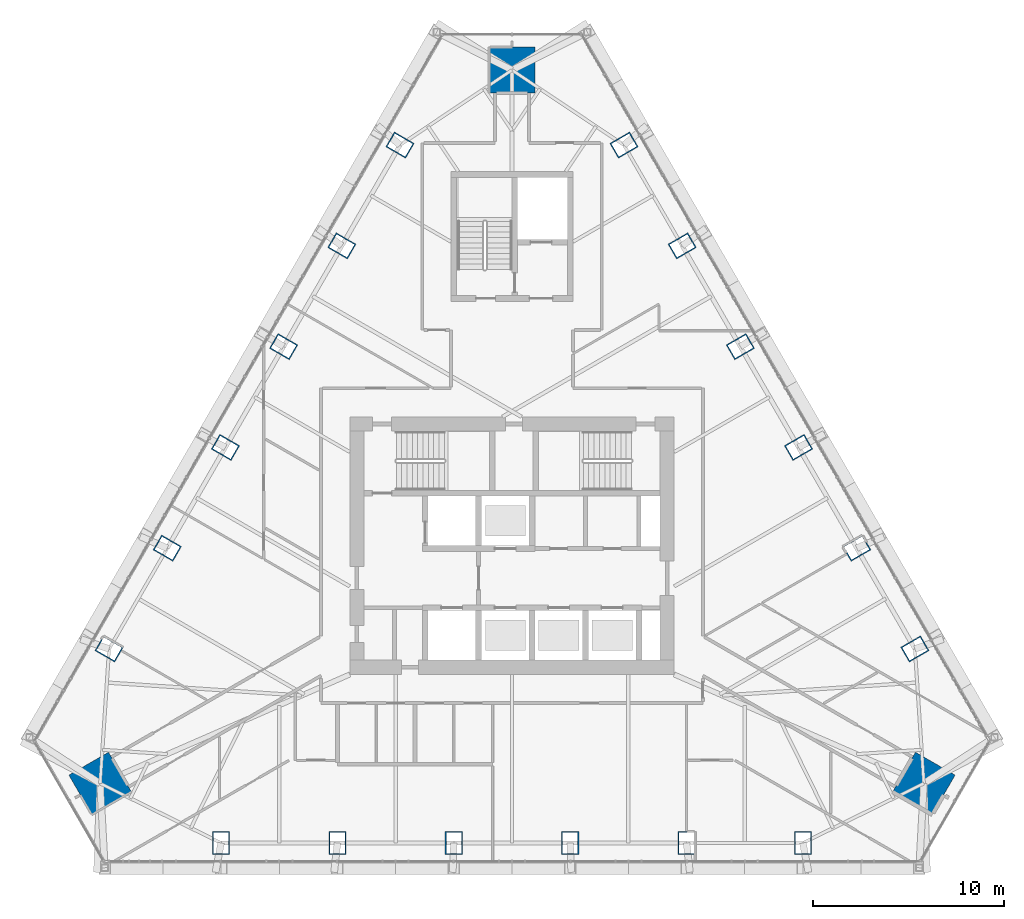
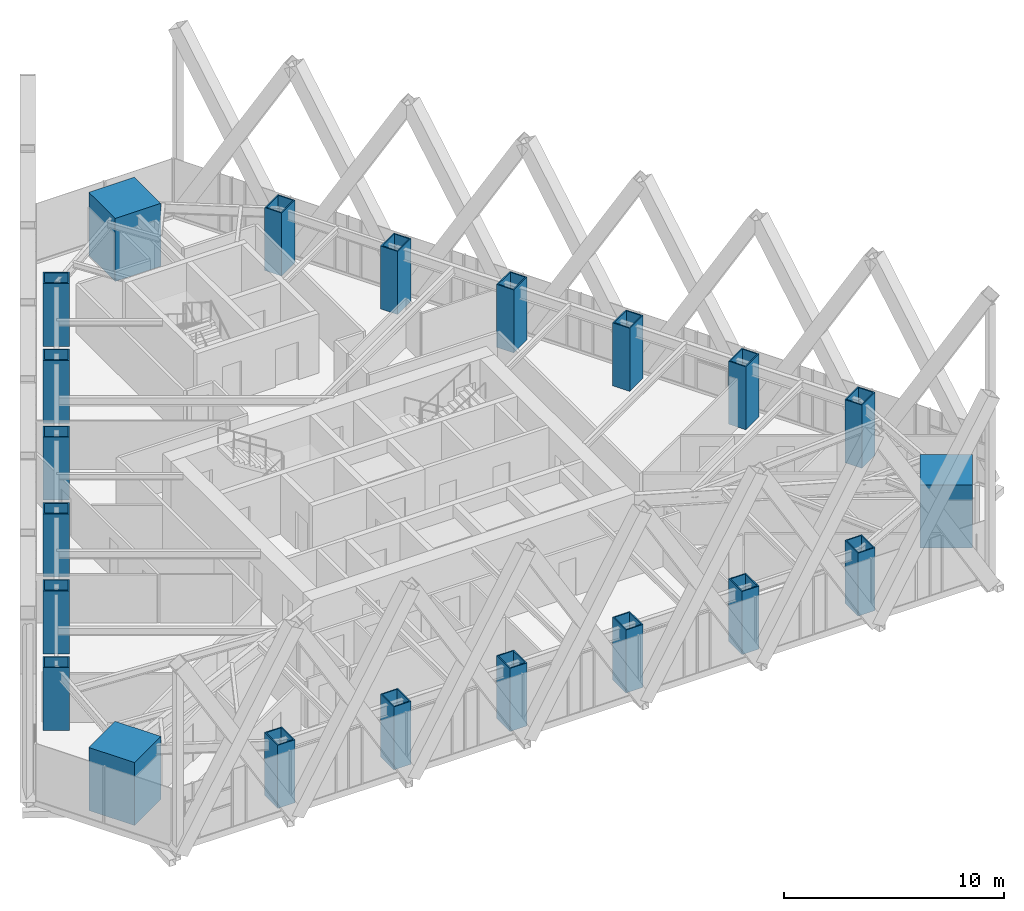
# One storey, part 1 of 23: 21 columns.
"""IFC4 building model written with IfcOpenShell, lengths in metres."""

from ifc_helpers import new_model, si_unit, direction, frame, origin, origin_2d, place, context, subcontext, project, spatial, rectangle, hollow_rectangle, extrude, material, material_profile, profile_set, type_object, element, save


model = new_model("IFC4")

# Units and contexts
model_context = context("Model", 3, precision=1e-05, world=origin(), true_north=direction((0.0, 1.0)))
body_context = subcontext(model_context, "Body", "Model", "MODEL_VIEW")
ifc_project = project(units=[si_unit("LENGTHUNIT", "METRE"), si_unit("AREAUNIT", "SQUARE_METRE"), si_unit("VOLUMEUNIT", "CUBIC_METRE"), si_unit("PLANEANGLEUNIT", "RADIAN"), si_unit("MASSUNIT", "GRAM", prefix="KILO")], contexts=[model_context])

# Site, building, storey
site_placement = place(None, origin())
site = spatial("IfcSite", under=ifc_project, at=site_placement, CompositionType="ELEMENT")
building_placement = place(site_placement, origin())
building = spatial("IfcBuilding", under=site, at=building_placement, Name="Firuza Gate Tower and Library", CompositionType="ELEMENT")
storey_placement = place(building_placement, frame((0.0, 0.0, 302.10009765625)))
storey = spatial("IfcBuildingStorey", under=building, at=storey_placement, Name="L73", CompositionType="ELEMENT", Elevation=302.10009765625)

# Columns
ifc_material_1 = material(Name="Steel S355", Category="steel")
ifc_material_profile_1 = material_profile(ifc_material_1, hollow_rectangle(XDim=0.89990234375, YDim=1.199951171875, WallThickness=0.06005859375, at=origin_2d()))
ifc_profile_set_1 = profile_set([ifc_material_profile_1], Name="Steel S355")
column_type_1 = type_object("IfcColumnType", Name="BU1200x900x60 Composite box column", PredefinedType="COLUMN", material=ifc_profile_set_1)
for number, where, z_axis, x_axis, name in (
    (1, (59.760009765625, 59.4248046875, -0.00048828125), (0.0, 0.0, 1.0), (1.0, 0.0, 0.0), "Column S1 L73"),
    (2, (65.85595703125, 59.4248046875, -0.00048828125), (0.0, 0.0, 1.0), (1.0, 0.0, 0.0), "Column S2 L73"),
    (3, (71.951904296875, 59.4248046875, -0.00048828125), (0.0, 0.0, 1.0), (1.0, 0.0, 0.0), "Column S3 L73"),
    (4, (78.048095703125, 59.4248046875, -0.00048828125), (0.0, 0.0, 1.0), (1.0, 0.0, 0.0), "Column S4 L73"),
    (5, (84.14404296875, 59.4248046875, -0.00048828125), (0.0, 0.0, 1.0), (1.0, 0.0, 0.0), "Column S5 L73"),
    (6, (90.239990234375, 59.4248046875, -0.00048828125), (0.0, 0.0, 1.0), (1.0, 0.0, 0.0), "Column S6 L73"),
    (7, (96.108642578125, 69.58935546875, -0.00048828125), (0.0, 0.0, 1.0), (-0.5, 0.866025403784, 0.0), "Column E1 L73"),
    (8, (93.060546875, 74.86865234375, -0.00048828125), (0.0, 0.0, 1.0), (-0.5, 0.866025403784, 0.0), "Column E2 L73"),
    (9, (90.0126953125, 80.14794921875, -0.00048828125), (0.0, 0.0, 1.0), (-0.5, 0.866025403784, 0.0), "Column E3 L73"),
    (10, (86.964599609375, 85.42724609375, -0.00048828125), (0.0, 0.0, 1.0), (-0.5, 0.866025403784, 0.0), "Column E4 L73"),
    (11, (83.91650390625, 90.70654296875, -0.00048828125), (0.0, 0.0, 1.0), (-0.5, 0.866025403784, 0.0), "Column E5 L73"),
    (12, (80.86865234375, 95.98583984375, -0.00048828125), (0.0, 0.0, 1.0), (-0.5, 0.866025403784, 0.0), "Column E6 L73"),
    (13, (69.13134765625, 95.98583984375, -0.00048828125), (0.0, 0.0, 1.0), (-0.5, -0.866025403784, 0.0), "Column W1 L73"),
    (14, (66.08349609375, 90.70654296875, -0.00048828125), (0.0, 0.0, 1.0), (-0.5, -0.866025403784, 0.0), "Column W2 L73"),
    (15, (63.035400390625, 85.42724609375, -0.00048828125), (0.0, 0.0, 1.0), (-0.5, -0.866025403784, 0.0), "Column W3 L73"),
    (16, (59.9873046875, 80.14794921875, -0.00048828125), (0.0, 0.0, 1.0), (-0.5, -0.866025403784, 0.0), "Column W4 L73"),
    (17, (56.939453125, 74.86865234375, -0.00048828125), (0.0, 0.0, 1.0), (-0.5, -0.866025403784, 0.0), "Column W5 L73"),
    (18, (53.891357421875, 69.58935546875, -0.00048828125), (0.0, 0.0, 1.0), (-0.5, -0.866025403784, 0.0), "Column W6 L73"),
):
    element("IfcColumn", number, at=place(storey_placement, frame(where, z_axis=z_axis, x_axis=x_axis)), inside=storey, type_object=column_type_1, Name=name, PredefinedType="COLUMN", context=body_context, shape_type="SweptSolid", body=[
        extrude(hollow_rectangle(XDim=0.89990234375, YDim=1.199951171875, WallThickness=0.06005859375, at=origin_2d()), origin(), (0.0, 0.0, 1.0), 3.50048828125),
    ])
ifc_material_2 = material(Name="Concrete C80/95", Category="concrete")
ifc_material_profile_2 = material_profile(ifc_material_2, rectangle(XDim=2.39990234375, YDim=2.39990234375, at=origin_2d()))
ifc_profile_set_2 = profile_set([ifc_material_profile_2], Name="Concrete C80/95")
column_type_2 = type_object("IfcColumnType", Name="Mega column 2400x2400 C80/95", PredefinedType="COLUMN", material=ifc_profile_set_2)
for number, where, z_axis, x_axis, name in (
    (19, (96.5771484375, 62.54248046875, 0.0), (0.0, 0.0, 1.0), (0.5, 0.866025403784, 0.0), "Mega column SE L73"),
    (20, (75.0, 99.9150390625, 0.0), (0.0, 0.0, 1.0), (-1.0, 0.0, 0.0), "Mega column N L73"),
    (21, (53.4228515625, 62.54248046875, 0.0), (0.0, 0.0, 1.0), (0.5, -0.866025403784, 0.0), "Mega column SW L73"),
):
    element("IfcColumn", number, at=place(storey_placement, frame(where, z_axis=z_axis, x_axis=x_axis)), inside=storey, type_object=column_type_2, Name=name, PredefinedType="COLUMN", context=body_context, shape_type="SweptSolid", body=[
        extrude(rectangle(XDim=2.39990234375, YDim=2.39990234375, at=origin_2d()), origin(), (0.0, 0.0, 1.0), 3.5),
    ])

save(model, "model.ifc")
